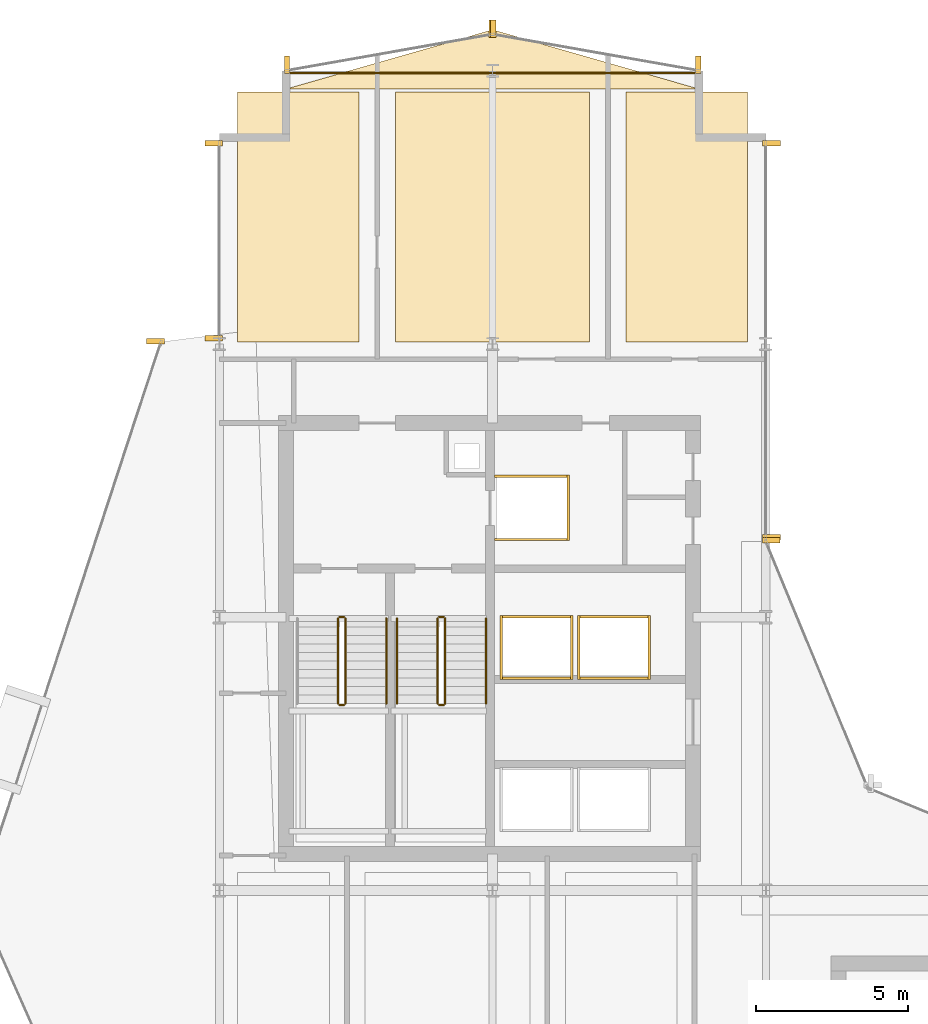
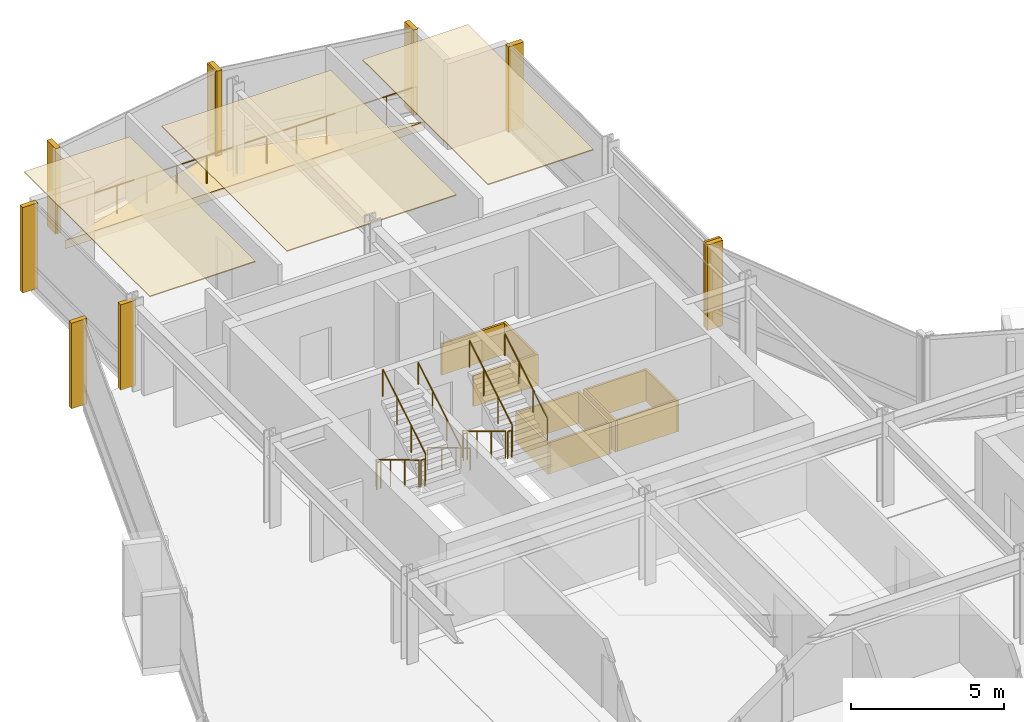
# One storey, part 28 of 28: 25 coverings, 12 railings.
"""IFC4 building model written with IfcOpenShell, lengths in metres."""

from ifc_helpers import new_model, si_unit, direction, frame, origin, origin_2d, place, context, subcontext, project, spatial, polyline, rectangle, circle, outline, extrude, material, layer, layer_set, type_object, element, save


model = new_model("IFC4")

# Units and contexts
model_context = context("Model", 3, precision=1e-05, world=origin(), true_north=direction((0.0, 1.0)))
body_context = subcontext(model_context, "Body", "Model", "MODEL_VIEW")
ifc_project = project(units=[si_unit("LENGTHUNIT", "METRE"), si_unit("AREAUNIT", "SQUARE_METRE"), si_unit("VOLUMEUNIT", "CUBIC_METRE"), si_unit("PLANEANGLEUNIT", "RADIAN"), si_unit("MASSUNIT", "GRAM", prefix="KILO")], contexts=[model_context])

# Site, building, storey
site_placement = place(None, origin())
site = spatial("IfcSite", under=ifc_project, at=site_placement, CompositionType="ELEMENT")
building_placement = place(site_placement, origin())
building = spatial("IfcBuilding", under=site, at=building_placement, Name="Solvaryn Broadcast Tower", CompositionType="ELEMENT")
storey_placement = place(building_placement, frame((0.0, 0.0, 158.10009765625)))
storey = spatial("IfcBuildingStorey", under=building, at=storey_placement, Name="L39", CompositionType="ELEMENT", Elevation=158.10009765625)

# Coverings
ifc_material_1 = material(Name="Micro-Perforated Acoustic Gypsum Ceiling", Category="concrete")
ifc_layer_1 = layer(ifc_material_1, 0.0400390625)
ifc_layer_set_1 = layer_set([ifc_layer_1], Name="CV-CEIL-ACOUSTIC")
covering_type_1 = type_object("IfcCoveringType", Name="CV-CEIL-ACOUSTIC", PredefinedType="CEILING", material=ifc_layer_set_1)
covering_1_placement = place(storey_placement, frame((0.0, 0.0, 3.3798828125)))
element("IfcCovering", 1, at=covering_1_placement, inside=storey, type_object=covering_type_1, Name="L39 Room Acoustic Ceiling 8", PredefinedType="CEILING", context=body_context, shape_type="SweptSolid", body=[
    extrude(outline(polyline([(9.60009765625, 45.070068359375), (13.60009765625, 45.070068359375), (13.60009765625, 53.300048828125), (9.60009765625, 53.300048828125), (9.60009765625, 45.070068359375)])), origin(), (0.0, 0.0, 1.0), 0.0400390625),
])
covering_2_placement = place(storey_placement, frame((0.0, 0.0, 3.3798828125)))
element("IfcCovering", 2, at=covering_2_placement, inside=storey, type_object=covering_type_1, Name="L39 Room Acoustic Ceiling 9", PredefinedType="CEILING", context=body_context, shape_type="SweptSolid", body=[
    extrude(outline(polyline([(14.800048828125, 45.070068359375), (21.199951171875, 45.070068359375), (21.199951171875, 53.300048828125), (14.800048828125, 53.300048828125), (14.800048828125, 45.070068359375)])), origin(), (0.0, 0.0, 1.0), 0.0400390625),
])
covering_3_placement = place(storey_placement, frame((0.0, 0.0, 3.3798828125)))
element("IfcCovering", 3, at=covering_3_placement, inside=storey, type_object=covering_type_1, Name="L39 Room Acoustic Ceiling 10", PredefinedType="CEILING", context=body_context, shape_type="SweptSolid", body=[
    extrude(outline(polyline([(22.39990234375, 45.070068359375), (26.39990234375, 45.070068359375), (26.39990234375, 53.300048828125), (22.39990234375, 53.300048828125), (22.39990234375, 45.070068359375)])), origin(), (0.0, 0.0, 1.0), 0.0400390625),
])
ifc_material_2 = material(Name="Fire-Rated Gypsum Shaftwall Liner", Category="concrete")
ifc_layer_2 = layer(ifc_material_2, 0.080078125)
ifc_layer_set_2 = layer_set([ifc_layer_2], Name="CV-SHAFT-LINER")
covering_type_2 = type_object("IfcCoveringType", Name="CV-SHAFT-LINER", PredefinedType="CLADDING", material=ifc_layer_set_2)
for number, where, z_axis, x_axis, name in (
    (4, (19.300048828125, 40.639892578125, 0.0), (0.0, 0.0, 1.0), (1.0, 0.0, 0.0), "L39 FL1 Hoistway Shaft Liner North"),
    (5, (19.300048828125, 38.56005859375, 0.0), (0.0, 0.0, 1.0), (1.0, 0.0, 0.0), "L39 FL1 Hoistway Shaft Liner South"),
):
    element("IfcCovering", number, at=place(storey_placement, frame(where, z_axis=z_axis, x_axis=x_axis)), inside=storey, type_object=covering_type_2, Name=name, PredefinedType="CLADDING", context=body_context, shape_type="SweptSolid", body=[
        extrude(rectangle(XDim=2.4599609375, YDim=0.080078125, at=origin_2d()), origin(), (0.0, 0.0, 1.0), 1.25),
    ])
covering_4_placement = place(storey_placement, frame((20.489990234375, 39.60009765625, 0.0), z_axis=(0.0, 0.0, 1.0), x_axis=(1.0, 0.0, 0.0)))
element("IfcCovering", 6, at=covering_4_placement, inside=storey, type_object=covering_type_2, Name="L39 FL1 Hoistway Shaft Liner East", PredefinedType="CLADDING", context=body_context, shape_type="SweptSolid", body=[
    extrude(rectangle(XDim=0.080078125, YDim=2.159912109375, at=origin_2d()), origin(), (0.0, 0.0, 1.0), 1.25),
])
for number, where, z_axis, x_axis, name in (
    (7, (19.449951171875, 36.014892578125, 0.0), (0.0, 0.0, 1.0), (1.0, 0.0, 0.0), "L39 PH3 Hoistway Shaft Liner North"),
    (8, (19.449951171875, 33.985107421875, 0.0), (0.0, 0.0, 1.0), (1.0, 0.0, 0.0), "L39 PH3 Hoistway Shaft Liner South"),
):
    element("IfcCovering", number, at=place(storey_placement, frame(where, z_axis=z_axis, x_axis=x_axis)), inside=storey, type_object=covering_type_2, Name=name, PredefinedType="CLADDING", context=body_context, shape_type="SweptSolid", body=[
        extrude(rectangle(XDim=2.409912109375, YDim=0.080078125, at=origin_2d()), origin(), (0.0, 0.0, 1.0), 1.25),
    ])
for number, where, z_axis, x_axis, name in (
    (9, (20.614990234375, 35.0, 0.0), (0.0, 0.0, 1.0), (1.0, 0.0, 0.0), "L39 PH3 Hoistway Shaft Liner East"),
    (10, (18.284912109375, 35.0, 0.0), (0.0, 0.0, 1.0), (1.0, 0.0, 0.0), "L39 PH3 Hoistway Shaft Liner West"),
):
    element("IfcCovering", number, at=place(storey_placement, frame(where, z_axis=z_axis, x_axis=x_axis)), inside=storey, type_object=covering_type_2, Name=name, PredefinedType="CLADDING", context=body_context, shape_type="SweptSolid", body=[
        extrude(rectangle(XDim=0.080078125, YDim=2.110107421875, at=origin_2d()), origin(), (0.0, 0.0, 1.0), 1.25),
    ])
for number, where, z_axis, x_axis, name in (
    (11, (22.0, 36.014892578125, 0.0), (0.0, 0.0, 1.0), (1.0, 0.0, 0.0), "L39 PH4 Hoistway Shaft Liner North"),
    (12, (22.0, 33.985107421875, 0.0), (0.0, 0.0, 1.0), (1.0, 0.0, 0.0), "L39 PH4 Hoistway Shaft Liner South"),
):
    element("IfcCovering", number, at=place(storey_placement, frame(where, z_axis=z_axis, x_axis=x_axis)), inside=storey, type_object=covering_type_2, Name=name, PredefinedType="CLADDING", context=body_context, shape_type="SweptSolid", body=[
        extrude(rectangle(XDim=2.409912109375, YDim=0.080078125, at=origin_2d()), origin(), (0.0, 0.0, 1.0), 1.25),
    ])
for number, where, z_axis, x_axis, name in (
    (13, (23.1650390625, 35.0, 0.0), (0.0, 0.0, 1.0), (1.0, 0.0, 0.0), "L39 PH4 Hoistway Shaft Liner East"),
    (14, (20.8349609375, 35.0, 0.0), (0.0, 0.0, 1.0), (1.0, 0.0, 0.0), "L39 PH4 Hoistway Shaft Liner West"),
):
    element("IfcCovering", number, at=place(storey_placement, frame(where, z_axis=z_axis, x_axis=x_axis)), inside=storey, type_object=covering_type_2, Name=name, PredefinedType="CLADDING", context=body_context, shape_type="SweptSolid", body=[
        extrude(rectangle(XDim=0.080078125, YDim=2.110107421875, at=origin_2d()), origin(), (0.0, 0.0, 1.0), 1.25),
    ])
ifc_material_3 = material(Name="Extruded Architectural Terracotta Fin", Category="masonry")
ifc_layer_3 = layer(ifc_material_3, 0.179931640625)
ifc_layer_set_3 = layer_set([ifc_layer_3], Name="CV-TC-FIN")
covering_type_3 = type_object("IfcCoveringType", Name="CV-TC-FIN", PredefinedType="USERDEFINED", material=ifc_layer_set_3)
for number, where, z_axis, x_axis, name in (
    (15, (6.898681640625, 45.0947265625, 0.0), (0.0, 0.0, 1.0), (1.0, 0.0, 0.0), "L39 Terracotta Vertical Fin FIN-L39-DR1-M00"),
    (16, (8.8125, 45.197021484375, 0.0), (0.0, 0.0, 1.0), (1.0, 0.0, 0.0), "L39 Terracotta Vertical Fin FIN-L39-W2-M00"),
    (17, (8.8125, 51.6201171875, 0.0), (0.0, 0.0, 1.0), (1.0, 0.0, 0.0), "L39 Terracotta Vertical Fin FIN-L39-W2-M01"),
    (18, (27.1875, 51.6201171875, 0.0), (0.0, 0.0, 1.0), (1.0, 0.0, 0.0), "L39 Terracotta Vertical Fin FIN-L39-IV-M00"),
    (19, (27.1875, 38.6298828125, 0.0), (0.0, 0.0, 1.0), (1.0, 0.0, 0.0), "L39 Terracotta Vertical Fin FIN-L39-IV-M01"),
    (20, (27.177978515625, 38.541259765625, 0.0), (0.0, 0.0, 1.0), (1.0, 0.0, 0.0), "L39 Terracotta Vertical Fin FIN-L39-CN2-M01"),
):
    element("IfcCovering", number, at=place(storey_placement, frame(where, z_axis=z_axis, x_axis=x_axis)), inside=storey, type_object=covering_type_3, Name=name, ObjectType="FIN", PredefinedType="USERDEFINED", context=body_context, shape_type="SweptSolid", body=[
        extrude(rectangle(XDim=0.580078125, YDim=0.179931640625, at=origin_2d()), origin(), (0.0, 0.0, 1.0), 3.419921875),
    ])
for number, where, z_axis, x_axis, name in (
    (21, (24.7705078125, 54.192626953125, 0.0), (0.0, 0.0, 1.0), (1.0, 0.0, 0.0), "L39 Terracotta Vertical Fin FIN-L39-NT1-M00"),
    (22, (18.029541015625, 55.38232421875, 0.0), (0.0, 0.0, 1.0), (1.0, 0.0, 0.0), "L39 Terracotta Vertical Fin FIN-L39-NT1-M01"),
    (23, (17.970458984375, 55.38232421875, 0.0), (0.0, 0.0, 1.0), (1.0, 0.0, 0.0), "L39 Terracotta Vertical Fin FIN-L39-NT2-M00"),
    (24, (11.2294921875, 54.192626953125, 0.0), (0.0, 0.0, 1.0), (1.0, 0.0, 0.0), "L39 Terracotta Vertical Fin FIN-L39-NT2-M01"),
):
    element("IfcCovering", number, at=place(storey_placement, frame(where, z_axis=z_axis, x_axis=x_axis)), inside=storey, type_object=covering_type_3, Name=name, ObjectType="FIN", PredefinedType="USERDEFINED", context=body_context, shape_type="SweptSolid", body=[
        extrude(rectangle(XDim=0.179931640625, YDim=0.580078125, at=origin_2d()), origin(), (0.0, 0.0, 1.0), 3.419921875),
    ])
ifc_material_4 = material(Name="Sculpted Architectural Terracotta Wave Fascia", Category="masonry")
ifc_layer_4 = layer(ifc_material_4, 0.340087890625)
ifc_layer_set_4 = layer_set([ifc_layer_4], Name="CV-WAVE-TRAY")
covering_type_4 = type_object("IfcCoveringType", Name="CV-WAVE-TRAY", PredefinedType="CLADDING", material=ifc_layer_set_4)
covering_5_placement = place(storey_placement, frame((0.0, 0.0, -0.300048828125)))
element("IfcCovering", 25, at=covering_5_placement, inside=storey, type_object=covering_type_4, Name="L39 North Curved Wing Deck", PredefinedType="CLADDING", context=body_context, shape_type="SweptSolid", body=[
    extrude(outline(polyline([(11.199951171875, 53.39990234375), (24.800048828125, 53.39990234375), (18.0, 55.35009765625), (11.199951171875, 53.39990234375)])), origin(), (0.0, 0.0, 1.0), 0.329833984375),
])

# Railings
ifc_material_5 = material(Name="Painted Steel Stair Well Guard", Category="steel")
railing_type_1 = type_object("IfcRailingType", Name="RL-STAIR-GUARD", PredefinedType="BALUSTRADE", material=ifc_material_5)
railing_1_placement = place(storey_placement, frame((12.909912109375, 35.9599609375, 0.16796875)))
element("IfcRailing", 26, at=railing_1_placement, inside=storey, type_object=railing_type_1, Name="L39 ST1 stair guard 1", PredefinedType="BALUSTRADE", context=body_context, shape_type="SweptSolid", body=[
    extrude(circle(Radius=0.02392578125, at=origin_2d()), frame((0.0, 0.0, 1.076171875), z_axis=(0.0, -0.857242210791, 0.514913383045), x_axis=(1.0, 0.0, 0.0)), (0.0, 0.0, 1.0), 3.266357421875),
    extrude(circle(Radius=0.02099609375, at=origin_2d()), origin(), (0.0, 0.0, 1.0), 1.052001953125),
    extrude(circle(Radius=0.02099609375, at=origin_2d()), frame((0.0, -0.933349609375, 0.560546875)), (0.0, 0.0, 1.0), 1.052001953125),
    extrude(circle(Radius=0.02099609375, at=origin_2d()), frame((0.0, -1.86669921875, 1.121337890625)), (0.0, 0.0, 1.0), 1.052001953125),
    extrude(circle(Radius=0.02099609375, at=origin_2d()), frame((0.0, -2.800048828125, 1.681884765625)), (0.0, 0.0, 1.0), 1.052001953125),
])
railing_2_placement = place(storey_placement, frame((12.9599609375, 33.110107421875, 1.849853515625)))
element("IfcRailing", 27, at=railing_2_placement, inside=storey, type_object=railing_type_1, Name="L39 ST1 stair guard 2", PredefinedType="BALUSTRADE", context=body_context, shape_type="SweptSolid", body=[
    extrude(circle(Radius=0.02392578125, at=origin_2d()), frame((0.0, 0.0, 1.076171875), z_axis=(1.0, 0.0, 0.0), x_axis=(0.0, 1.0, 0.0)), (0.0, 0.0, 1.0), 0.150146484375),
    extrude(circle(Radius=0.02099609375, at=origin_2d()), origin(), (0.0, 0.0, 1.0), 1.052001953125),
    extrude(circle(Radius=0.02099609375, at=origin_2d()), frame((0.150146484375, 0.0, 0.0)), (0.0, 0.0, 1.0), 1.052001953125),
])
railing_3_placement = place(storey_placement, frame((13.159912109375, 33.159912109375, 2.01806640625)))
element("IfcRailing", 28, at=railing_3_placement, inside=storey, type_object=railing_type_1, Name="L39 ST1 stair guard 3", PredefinedType="BALUSTRADE", context=body_context, shape_type="SweptSolid", body=[
    extrude(circle(Radius=0.02392578125, at=origin_2d()), frame((0.0, 0.0, 1.076171875), z_axis=(0.0, 0.857242210791, 0.514913383045), x_axis=(-1.0, 0.0, 0.0)), (0.0, 0.0, 1.0), 3.266357421875),
    extrude(circle(Radius=0.02099609375, at=origin_2d()), origin(), (0.0, 0.0, 1.0), 1.052001953125),
    extrude(circle(Radius=0.02099609375, at=origin_2d()), frame((0.0, 0.933349609375, 0.560546875)), (0.0, 0.0, 1.0), 1.052001953125),
    extrude(circle(Radius=0.02099609375, at=origin_2d()), frame((0.0, 1.86669921875, 1.121337890625)), (0.0, 0.0, 1.0), 1.052001953125),
    extrude(circle(Radius=0.02099609375, at=origin_2d()), frame((0.0, 2.800048828125, 1.681884765625)), (0.0, 0.0, 1.0), 1.052001953125),
])
railing_4_placement = place(storey_placement, frame((12.9599609375, 36.010009765625, 0.0)))
element("IfcRailing", 29, at=railing_4_placement, inside=storey, type_object=railing_type_1, Name="L39 ST1 stair guard 4", PredefinedType="BALUSTRADE", context=body_context, shape_type="SweptSolid", body=[
    extrude(circle(Radius=0.02392578125, at=origin_2d()), frame((0.0, 0.0, 1.076171875), z_axis=(1.0, 0.0, 0.0), x_axis=(0.0, 1.0, 0.0)), (0.0, 0.0, 1.0), 0.150146484375),
    extrude(circle(Radius=0.02099609375, at=origin_2d()), origin(), (0.0, 0.0, 1.0), 1.052001953125),
    extrude(circle(Radius=0.02099609375, at=origin_2d()), frame((0.150146484375, 0.0, 0.0)), (0.0, 0.0, 1.0), 1.052001953125),
])
railing_5_placement = place(storey_placement, frame((16.18994140625, 35.9599609375, 0.16796875)))
element("IfcRailing", 30, at=railing_5_placement, inside=storey, type_object=railing_type_1, Name="L39 ST2 stair guard 1", PredefinedType="BALUSTRADE", context=body_context, shape_type="SweptSolid", body=[
    extrude(circle(Radius=0.02392578125, at=origin_2d()), frame((0.0, 0.0, 1.076171875), z_axis=(0.0, -0.857242210791, 0.514913383045), x_axis=(1.0, 0.0, 0.0)), (0.0, 0.0, 1.0), 3.266357421875),
    extrude(circle(Radius=0.02099609375, at=origin_2d()), origin(), (0.0, 0.0, 1.0), 1.052001953125),
    extrude(circle(Radius=0.02099609375, at=origin_2d()), frame((0.0, -0.933349609375, 0.560546875)), (0.0, 0.0, 1.0), 1.052001953125),
    extrude(circle(Radius=0.02099609375, at=origin_2d()), frame((0.0, -1.86669921875, 1.121337890625)), (0.0, 0.0, 1.0), 1.052001953125),
    extrude(circle(Radius=0.02099609375, at=origin_2d()), frame((0.0, -2.800048828125, 1.681884765625)), (0.0, 0.0, 1.0), 1.052001953125),
])
railing_6_placement = place(storey_placement, frame((16.239990234375, 33.110107421875, 1.849853515625)))
element("IfcRailing", 31, at=railing_6_placement, inside=storey, type_object=railing_type_1, Name="L39 ST2 stair guard 2", PredefinedType="BALUSTRADE", context=body_context, shape_type="SweptSolid", body=[
    extrude(circle(Radius=0.02392578125, at=origin_2d()), frame((0.0, 0.0, 1.076171875), z_axis=(1.0, 0.0, 0.0), x_axis=(0.0, 1.0, 0.0)), (0.0, 0.0, 1.0), 0.14990234375),
    extrude(circle(Radius=0.02099609375, at=origin_2d()), origin(), (0.0, 0.0, 1.0), 1.052001953125),
    extrude(circle(Radius=0.02099609375, at=origin_2d()), frame((0.14990234375, 0.0, 0.0)), (0.0, 0.0, 1.0), 1.052001953125),
])
railing_7_placement = place(storey_placement, frame((16.43994140625, 33.159912109375, 2.01806640625)))
element("IfcRailing", 32, at=railing_7_placement, inside=storey, type_object=railing_type_1, Name="L39 ST2 stair guard 3", PredefinedType="BALUSTRADE", context=body_context, shape_type="SweptSolid", body=[
    extrude(circle(Radius=0.02392578125, at=origin_2d()), frame((0.0, 0.0, 1.076171875), z_axis=(0.0, 0.857242210791, 0.514913383045), x_axis=(-1.0, 0.0, 0.0)), (0.0, 0.0, 1.0), 3.266357421875),
    extrude(circle(Radius=0.02099609375, at=origin_2d()), origin(), (0.0, 0.0, 1.0), 1.052001953125),
    extrude(circle(Radius=0.02099609375, at=origin_2d()), frame((0.0, 0.933349609375, 0.560546875)), (0.0, 0.0, 1.0), 1.052001953125),
    extrude(circle(Radius=0.02099609375, at=origin_2d()), frame((0.0, 1.86669921875, 1.121337890625)), (0.0, 0.0, 1.0), 1.052001953125),
    extrude(circle(Radius=0.02099609375, at=origin_2d()), frame((0.0, 2.800048828125, 1.681884765625)), (0.0, 0.0, 1.0), 1.052001953125),
])
railing_8_placement = place(storey_placement, frame((16.239990234375, 36.010009765625, 0.0)))
element("IfcRailing", 33, at=railing_8_placement, inside=storey, type_object=railing_type_1, Name="L39 ST2 stair guard 4", PredefinedType="BALUSTRADE", context=body_context, shape_type="SweptSolid", body=[
    extrude(circle(Radius=0.02392578125, at=origin_2d()), frame((0.0, 0.0, 1.076171875), z_axis=(1.0, 0.0, 0.0), x_axis=(0.0, 1.0, 0.0)), (0.0, 0.0, 1.0), 0.14990234375),
    extrude(circle(Radius=0.02099609375, at=origin_2d()), origin(), (0.0, 0.0, 1.0), 1.052001953125),
    extrude(circle(Radius=0.02099609375, at=origin_2d()), frame((0.14990234375, 0.0, 0.0)), (0.0, 0.0, 1.0), 1.052001953125),
])
ifc_material_6 = material(Name="Brushed Stainless Steel Tubular Handrail", Category="steel")
railing_type_2 = type_object("IfcRailingType", Name="RL-STAIR-HANDRAIL", PredefinedType="HANDRAIL", material=ifc_material_6)
railing_9_placement = place(storey_placement, frame((14.5, 33.159912109375, 2.01806640625)))
element("IfcRailing", 34, at=railing_9_placement, inside=storey, type_object=railing_type_2, Name="L39 ST1 stair handrail 2", PredefinedType="HANDRAIL", context=body_context, shape_type="SweptSolid", body=[
    extrude(circle(Radius=0.02392578125, at=origin_2d()), frame((0.0, 0.0, 0.8759765625), z_axis=(0.0, 0.857242210791, 0.514913383045), x_axis=(-1.0, 0.0, 0.0)), (0.0, 0.0, 1.0), 3.266357421875),
    extrude(circle(Radius=0.02099609375, at=origin_2d()), origin(), (0.0, 0.0, 1.0), 0.851806640625),
    extrude(circle(Radius=0.02099609375, at=origin_2d()), frame((0.0, 0.933349609375, 0.560546875)), (0.0, 0.0, 1.0), 0.851806640625),
    extrude(circle(Radius=0.02099609375, at=origin_2d()), frame((0.0, 1.86669921875, 1.121337890625)), (0.0, 0.0, 1.0), 0.851806640625),
    extrude(circle(Radius=0.02099609375, at=origin_2d()), frame((0.0, 2.800048828125, 1.681884765625)), (0.0, 0.0, 1.0), 0.851806640625),
])
railing_10_placement = place(storey_placement, frame((14.85009765625, 35.9599609375, 0.16796875)))
element("IfcRailing", 35, at=railing_10_placement, inside=storey, type_object=railing_type_2, Name="L39 ST2 stair handrail 1", PredefinedType="HANDRAIL", context=body_context, shape_type="SweptSolid", body=[
    extrude(circle(Radius=0.02392578125, at=origin_2d()), frame((0.0, 0.0, 0.8759765625), z_axis=(0.0, -0.857242210791, 0.514913383045), x_axis=(1.0, 0.0, 0.0)), (0.0, 0.0, 1.0), 3.266357421875),
    extrude(circle(Radius=0.02099609375, at=origin_2d()), origin(), (0.0, 0.0, 1.0), 0.851806640625),
    extrude(circle(Radius=0.02099609375, at=origin_2d()), frame((0.0, -0.933349609375, 0.560546875)), (0.0, 0.0, 1.0), 0.851806640625),
    extrude(circle(Radius=0.02099609375, at=origin_2d()), frame((0.0, -1.86669921875, 1.121337890625)), (0.0, 0.0, 1.0), 0.851806640625),
    extrude(circle(Radius=0.02099609375, at=origin_2d()), frame((0.0, -2.800048828125, 1.681884765625)), (0.0, 0.0, 1.0), 0.851806640625),
])
railing_11_placement = place(storey_placement, frame((17.780029296875, 33.159912109375, 2.01806640625)))
element("IfcRailing", 36, at=railing_11_placement, inside=storey, type_object=railing_type_2, Name="L39 ST2 stair handrail 2", PredefinedType="HANDRAIL", context=body_context, shape_type="SweptSolid", body=[
    extrude(circle(Radius=0.02392578125, at=origin_2d()), frame((0.0, 0.0, 0.8759765625), z_axis=(0.0, 0.857242210791, 0.514913383045), x_axis=(-1.0, 0.0, 0.0)), (0.0, 0.0, 1.0), 3.266357421875),
    extrude(circle(Radius=0.02099609375, at=origin_2d()), origin(), (0.0, 0.0, 1.0), 0.851806640625),
    extrude(circle(Radius=0.02099609375, at=origin_2d()), frame((0.0, 0.933349609375, 0.560546875)), (0.0, 0.0, 1.0), 0.851806640625),
    extrude(circle(Radius=0.02099609375, at=origin_2d()), frame((0.0, 1.86669921875, 1.121337890625)), (0.0, 0.0, 1.0), 0.851806640625),
    extrude(circle(Radius=0.02099609375, at=origin_2d()), frame((0.0, 2.800048828125, 1.681884765625)), (0.0, 0.0, 1.0), 0.851806640625),
])
ifc_material_7 = material(Name="Stainless Steel and Laminated Glass Guard", Category="steel")
railing_type_3 = type_object("IfcRailingType", Name="RL-TER-1150", PredefinedType="BALUSTRADE", material=ifc_material_7)
railing_12_placement = place(storey_placement, frame((11.199951171875, 53.919921875, 0.0)))
element("IfcRailing", 37, at=railing_12_placement, inside=storey, type_object=railing_type_3, Name="L39 North Wing Spandrel Edge Guard", PredefinedType="BALUSTRADE", context=body_context, shape_type="SweptSolid", body=[
    extrude(circle(Radius=0.02392578125, at=origin_2d()), frame((0.0, 0.0, 1.1259765625), z_axis=(1.0, 0.0, 0.0), x_axis=(0.0, 1.0, 0.0)), (0.0, 0.0, 1.0), 13.60009765625),
    extrude(circle(Radius=0.02099609375, at=origin_2d()), origin(), (0.0, 0.0, 1.0), 1.101806640625),
    extrude(circle(Radius=0.02099609375, at=origin_2d()), frame((1.13330078125, 0.0, 0.0)), (0.0, 0.0, 1.0), 1.101806640625),
    extrude(circle(Radius=0.02099609375, at=origin_2d()), frame((2.2666015625, 0.0, 0.0)), (0.0, 0.0, 1.0), 1.101806640625),
    extrude(circle(Radius=0.02099609375, at=origin_2d()), frame((3.39990234375, 0.0, 0.0)), (0.0, 0.0, 1.0), 1.101806640625),
    extrude(circle(Radius=0.02099609375, at=origin_2d()), frame((4.533447265625, 0.0, 0.0)), (0.0, 0.0, 1.0), 1.101806640625),
    extrude(circle(Radius=0.02099609375, at=origin_2d()), frame((5.666748046875, 0.0, 0.0)), (0.0, 0.0, 1.0), 1.101806640625),
    extrude(circle(Radius=0.02099609375, at=origin_2d()), frame((6.800048828125, 0.0, 0.0)), (0.0, 0.0, 1.0), 1.101806640625),
    extrude(circle(Radius=0.02099609375, at=origin_2d()), frame((7.933349609375, 0.0, 0.0)), (0.0, 0.0, 1.0), 1.101806640625),
    extrude(circle(Radius=0.02099609375, at=origin_2d()), frame((9.066650390625, 0.0, 0.0)), (0.0, 0.0, 1.0), 1.101806640625),
    extrude(circle(Radius=0.02099609375, at=origin_2d()), frame((10.2001953125, 0.0, 0.0)), (0.0, 0.0, 1.0), 1.101806640625),
    extrude(circle(Radius=0.02099609375, at=origin_2d()), frame((11.33349609375, 0.0, 0.0)), (0.0, 0.0, 1.0), 1.101806640625),
    extrude(circle(Radius=0.02099609375, at=origin_2d()), frame((12.466796875, 0.0, 0.0)), (0.0, 0.0, 1.0), 1.101806640625),
    extrude(circle(Radius=0.02099609375, at=origin_2d()), frame((13.60009765625, 0.0, 0.0)), (0.0, 0.0, 1.0), 1.101806640625),
])

save(model, "model.ifc")
